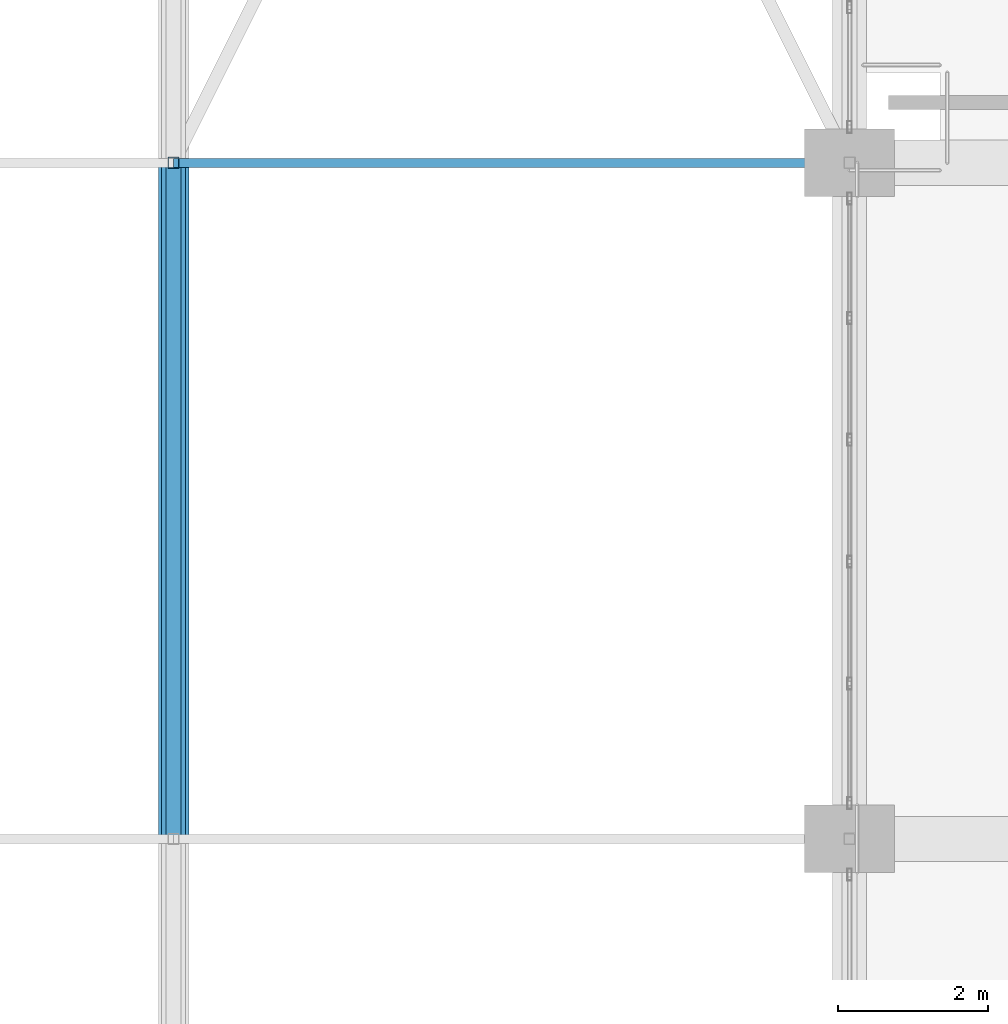
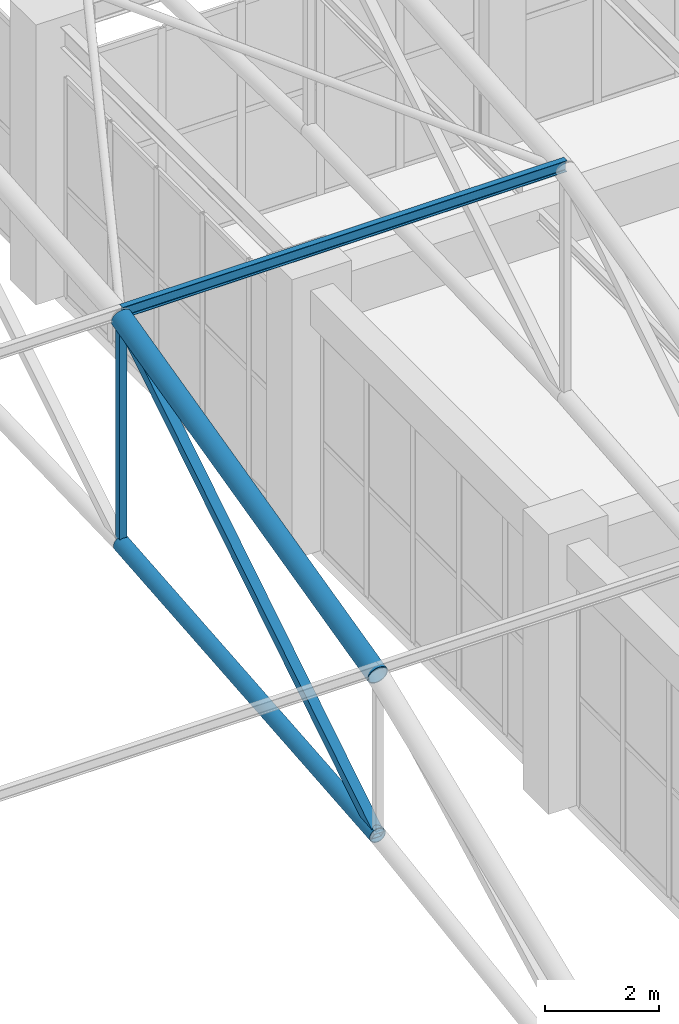
# One storey, part 94 of 223: 5 members.
"""IFC4 building model written with IfcOpenShell, lengths in metres."""

from ifc_helpers import new_model, si_unit, direction, frame, origin, origin_2d, place, context, subcontext, project, spatial, hollow_rectangle, hollow_circle, i_section, extrude, material, material_profile, profile_set, type_object, element, save


model = new_model("IFC4")

# Units and contexts
model_context = context("Model", 3, precision=1e-05, world=origin(), true_north=direction((0.0, 1.0)))
body_context = subcontext(model_context, "Body", "Model", "MODEL_VIEW")
ifc_project = project(units=[si_unit("LENGTHUNIT", "METRE"), si_unit("AREAUNIT", "SQUARE_METRE"), si_unit("VOLUMEUNIT", "CUBIC_METRE"), si_unit("PLANEANGLEUNIT", "RADIAN"), si_unit("MASSUNIT", "GRAM", prefix="KILO")], contexts=[model_context])

# Site, building, storey
site_placement = place(None, origin())
site = spatial("IfcSite", under=ifc_project, at=site_placement, CompositionType="ELEMENT")
building_placement = place(site_placement, origin())
building = spatial("IfcBuilding", under=site, at=building_placement, Name="Dornveld Trade and Exhibition Forum", CompositionType="ELEMENT")
storey_placement = place(building_placement, frame((0.0, 0.0, 6.0)))
storey = spatial("IfcBuildingStorey", under=building, at=storey_placement, Name="L01", CompositionType="ELEMENT", Elevation=6.0)

# Members
ifc_material_1 = material(Name="Steel S355J2", Category="steel")
ifc_material_profile_1 = material_profile(ifc_material_1, hollow_circle(Radius=0.161865234375, WallThickness=0.01611328125, at=origin_2d()), Name="CHS 323.9x16")
ifc_profile_set_1 = profile_set([ifc_material_profile_1], Name="Steel S355J2")
member_type_1 = type_object("IfcMemberType", Name="MEM-ARCH-BC", PredefinedType="CHORD", material=ifc_profile_set_1)
member_1_placement = place(storey_placement, frame((162.0, 117.0, 7.683349609375), z_axis=(0.0, 0.996072164085, 0.088545151956), x_axis=(-1.0, 0.0, 0.0)))
element("IfcMember", 1, at=member_1_placement, inside=storey, type_object=member_type_1, Name="H1 truss 8 tie chord 2", PredefinedType="CHORD", context=body_context, shape_type="SweptSolid", body=[
    extrude(hollow_circle(Radius=0.161865234375, WallThickness=0.01611328125, at=origin_2d()), origin(), (0.0, 0.0, 1.0), 9.035400390625),
])
ifc_material_2 = material(Name="Steel S355J2", Category="steel")
ifc_material_profile_2 = material_profile(ifc_material_2, hollow_rectangle(XDim=0.14990234375, YDim=0.14990234375, WallThickness=0.008056640625, at=origin_2d()), Name="SHS 150x150x8")
ifc_profile_set_2 = profile_set([ifc_material_profile_2], Name="Steel S355J2")
member_type_2 = type_object("IfcMemberType", Name="MEM-ARCH-STR", PredefinedType="STRUT", material=ifc_profile_set_2)
member_2_placement = place(storey_placement, frame((162.0, 126.0, 8.4833984375), z_axis=(0.0, 0.0, 1.0), x_axis=(1.0, 0.0, 0.0)))
element("IfcMember", 2, at=member_2_placement, inside=storey, type_object=member_type_2, Name="H1 truss 8 strut 3", PredefinedType="STRUT", context=body_context, shape_type="SweptSolid", body=[
    extrude(hollow_rectangle(XDim=0.14990234375, YDim=0.14990234375, WallThickness=0.008056640625, at=origin_2d()), origin(), (0.0, 0.0, 1.0), 4.833251953125),
])
ifc_material_3 = material(Name="Steel S355J2", Category="steel")
ifc_material_profile_3 = material_profile(ifc_material_3, hollow_circle(Radius=0.203125, WallThickness=0.02001953125, at=origin_2d()), Name="CHS 406.4x20")
ifc_profile_set_3 = profile_set([ifc_material_profile_3], Name="Steel S355J2")
member_type_3 = type_object("IfcMemberType", Name="MEM-ARCH-TC", PredefinedType="CHORD", material=ifc_profile_set_3)
member_3_placement = place(storey_placement, frame((162.0, 117.0, 11.11669921875), z_axis=(0.0, 0.971400222114, 0.237448117444), x_axis=(-1.0, 0.0, 0.0)))
element("IfcMember", 3, at=member_3_placement, inside=storey, type_object=member_type_3, Name="H1 truss 8 top chord 2", PredefinedType="CHORD", context=body_context, shape_type="SweptSolid", body=[
    extrude(hollow_circle(Radius=0.203125, WallThickness=0.02001953125, at=origin_2d()), origin(), (0.0, 0.0, 1.0), 9.264892578125),
])
ifc_material_4 = material(Name="Steel S355J2", Category="steel")
ifc_material_profile_4 = material_profile(ifc_material_4, hollow_rectangle(XDim=0.199951171875, YDim=0.199951171875, WallThickness=0.010009765625, at=origin_2d()), Name="SHS 200x200x10")
ifc_profile_set_4 = profile_set([ifc_material_profile_4], Name="Steel S355J2")
member_type_4 = type_object("IfcMemberType", Name="MEM-ARCH-WEB", PredefinedType="BRACE", material=ifc_profile_set_4)
member_4_placement = place(storey_placement, frame((162.0, 117.0, 7.683349609375), z_axis=(0.0, 0.847646750348, 0.530561011218), x_axis=(-1.0, 0.0, 0.0)))
element("IfcMember", 4, at=member_4_placement, inside=storey, type_object=member_type_4, Name="H1 truss 8 web 2", PredefinedType="BRACE", context=body_context, shape_type="SweptSolid", body=[
    extrude(hollow_rectangle(XDim=0.199951171875, YDim=0.199951171875, WallThickness=0.010009765625, at=origin_2d()), origin(), (0.0, 0.0, 1.0), 10.61767578125),
])
ifc_material_5 = material(Name="Steel S355J2", Category="steel")
ifc_material_profile_5 = material_profile(ifc_material_5, i_section(OverallWidth=0.1201171875, OverallDepth=0.239990234375, WebThickness=0.006103515625, FlangeThickness=0.009765625, FilletRadius=0.014892578125, at=origin_2d()), Name="IPE 240")
ifc_profile_set_5 = profile_set([ifc_material_profile_5], Name="Steel S355J2")
member_type_5 = type_object("IfcMemberType", Name="MEM-PURLIN-240", PredefinedType="PURLIN", material=ifc_profile_set_5)
member_5_placement = place(storey_placement, frame((162.0, 126.0, 13.44873046875), z_axis=(1.0, 0.0, 0.0), x_axis=(0.0, 1.0, 0.0)))
element("IfcMember", 5, at=member_5_placement, inside=storey, type_object=member_type_5, Name="H1 bay 8 roof purlin 3", PredefinedType="PURLIN", context=body_context, shape_type="SweptSolid", body=[
    extrude(i_section(OverallWidth=0.1201171875, OverallDepth=0.239990234375, WebThickness=0.006103515625, FlangeThickness=0.009765625, FilletRadius=0.014892578125, at=origin_2d()), origin(), (0.0, 0.0, 1.0), 9.0),
])

save(model, "model.ifc")
